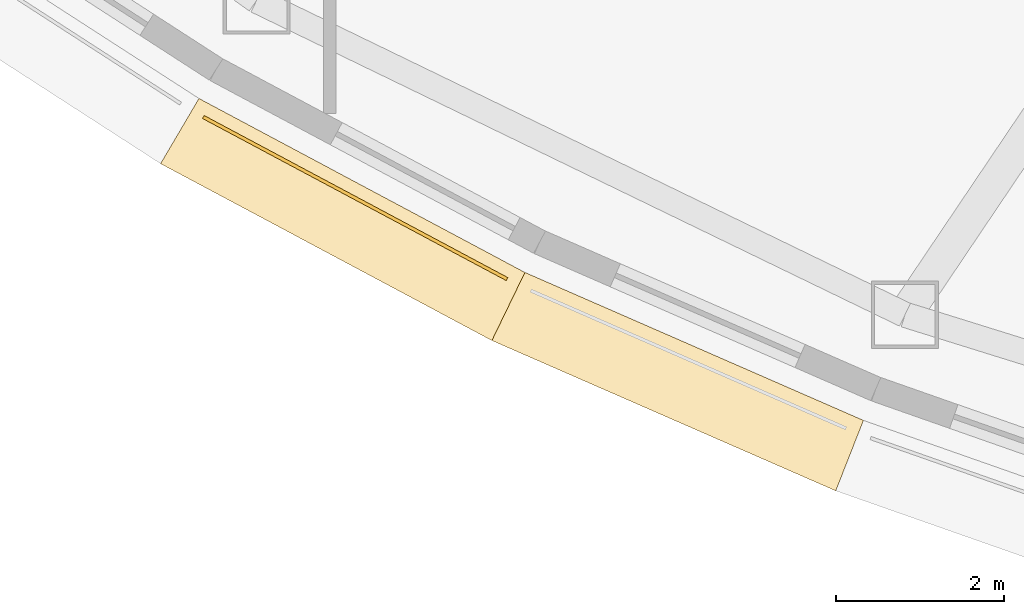
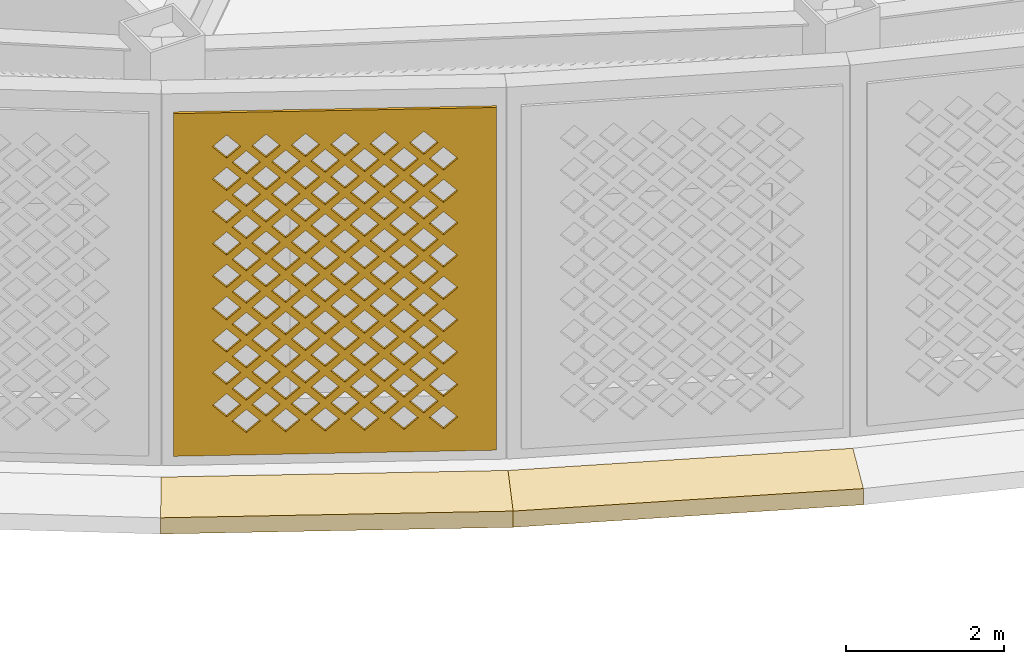
# One storey, part 51 of 74: 3 coverings.
"""IFC4 building model written with IfcOpenShell, lengths in metres."""

from ifc_helpers import new_model, si_unit, direction, frame, origin, place, context, subcontext, project, spatial, polyline, outline, extrude, material, layer, layer_set, type_object, element, save


model = new_model("IFC4")

# Units and contexts
model_context = context("Model", 3, precision=1e-05, world=origin(), true_north=direction((0.0, 1.0)))
body_context = subcontext(model_context, "Body", "Model", "MODEL_VIEW")
ifc_project = project(units=[si_unit("LENGTHUNIT", "METRE"), si_unit("AREAUNIT", "SQUARE_METRE"), si_unit("VOLUMEUNIT", "CUBIC_METRE"), si_unit("PLANEANGLEUNIT", "RADIAN"), si_unit("MASSUNIT", "GRAM", prefix="KILO")], contexts=[model_context])

# Site, building, storey
site_placement = place(None, origin())
site = spatial("IfcSite", under=ifc_project, at=site_placement, CompositionType="ELEMENT")
building_placement = place(site_placement, origin())
building = spatial("IfcBuilding", under=site, at=building_placement, Name="Noorbagh Ring Tower", CompositionType="ELEMENT")
storey_placement = place(building_placement, frame((0.0, 0.0, 13.5)))
storey = spatial("IfcBuildingStorey", under=building, at=storey_placement, Name="L02", CompositionType="ELEMENT", Elevation=13.5)

# Coverings
ifc_material_1 = material(Name="Red sandstone eave", Category="masonry")
covering_type_1 = type_object("IfcCoveringType", Name="STY-CHHAJJA", PredefinedType="USERDEFINED", material=ifc_material_1)
covering_1_placement = place(storey_placement, frame((0.0, 0.0, -0.25)))
element("IfcCovering", 1, at=covering_1_placement, inside=storey, type_object=covering_type_1, Name="Chhajja eave", ObjectType="CHHAJJA", PredefinedType="USERDEFINED", context=body_context, shape_type="SweptSolid", body=[
    extrude(outline(polyline([(-31.5546875, -31.793701171875), (-27.67578125, -33.864013671875), (-28.068603515625, -34.674560546875), (-32.011474609375, -32.56982421875), (-31.5546875, -31.793701171875)])), origin(), (0.0, 0.0, 1.0), 0.25),
])
covering_2_placement = place(storey_placement, frame((0.0, 0.0, -0.25)))
element("IfcCovering", 2, at=covering_2_placement, inside=storey, type_object=covering_type_1, Name="Chhajja eave", ObjectType="CHHAJJA", PredefinedType="USERDEFINED", context=body_context, shape_type="SweptSolid", body=[
    extrude(outline(polyline([(-27.67578125, -33.864013671875), (-23.647216796875, -35.624755859375), (-23.976806640625, -36.462890625), (-28.068603515625, -34.674560546875), (-27.67578125, -33.864013671875)])), origin(), (0.0, 0.0, 1.0), 0.25),
])
ifc_material_2 = material(Name="Red sandstone jali", Category="masonry")
ifc_layer = layer(ifc_material_2, 0.0400390625)
ifc_layer_set = layer_set([ifc_layer], Name="Red sandstone jali")
covering_type_2 = type_object("IfcCoveringType", Name="STY-JALI", PredefinedType="USERDEFINED", material=ifc_layer_set)
covering_3_placement = place(storey_placement, frame((-31.51171875, -32.031982421875, 0.449951171875), z_axis=(-0.470869695201, -0.882202771556, 0.0), x_axis=(0.882202771556, -0.470869695201, 0.0)))
element("IfcCovering", 3, at=covering_3_placement, inside=storey, type_object=covering_type_2, Name="Jali screen", ObjectType="SCREEN", PredefinedType="USERDEFINED", context=body_context, shape_type="SweptSolid", body=[
    extrude(outline(polyline([(0.0, 0.0), (4.0966796875, 0.0), (4.0966796875, 5.300048828125), (0.0, 5.300048828125), (0.0, 0.0)]), holes=[polyline([(0.743408203125, 0.52490234375), (0.92333984375, 0.344970703125), (1.103271484375, 0.52490234375), (0.92333984375, 0.705078125), (0.743408203125, 0.52490234375)]), polyline([(1.243408203125, 0.52490234375), (1.42333984375, 0.344970703125), (1.603271484375, 0.52490234375), (1.42333984375, 0.705078125), (1.243408203125, 0.52490234375)]), polyline([(1.743408203125, 0.52490234375), (1.92333984375, 0.344970703125), (2.103271484375, 0.52490234375), (1.92333984375, 0.705078125), (1.743408203125, 0.52490234375)]), polyline([(2.243408203125, 0.52490234375), (2.42333984375, 0.344970703125), (2.603271484375, 0.52490234375), (2.42333984375, 0.705078125), (2.243408203125, 0.52490234375)]), polyline([(2.743408203125, 0.52490234375), (2.92333984375, 0.344970703125), (3.103271484375, 0.52490234375), (2.92333984375, 0.705078125), (2.743408203125, 0.52490234375)]), polyline([(3.243408203125, 0.52490234375), (3.42333984375, 0.344970703125), (3.603271484375, 0.52490234375), (3.42333984375, 0.705078125), (3.243408203125, 0.52490234375)]), polyline([(0.493408203125, 0.77490234375), (0.67333984375, 0.594970703125), (0.853271484375, 0.77490234375), (0.67333984375, 0.955078125), (0.493408203125, 0.77490234375)]), polyline([(0.993408203125, 0.77490234375), (1.17333984375, 0.594970703125), (1.353271484375, 0.77490234375), (1.17333984375, 0.955078125), (0.993408203125, 0.77490234375)]), polyline([(1.493408203125, 0.77490234375), (1.67333984375, 0.594970703125), (1.853271484375, 0.77490234375), (1.67333984375, 0.955078125), (1.493408203125, 0.77490234375)]), polyline([(1.993408203125, 0.77490234375), (2.17333984375, 0.594970703125), (2.353271484375, 0.77490234375), (2.17333984375, 0.955078125), (1.993408203125, 0.77490234375)]), polyline([(2.493408203125, 0.77490234375), (2.67333984375, 0.594970703125), (2.853271484375, 0.77490234375), (2.67333984375, 0.955078125), (2.493408203125, 0.77490234375)]), polyline([(2.993408203125, 0.77490234375), (3.17333984375, 0.594970703125), (3.353271484375, 0.77490234375), (3.17333984375, 0.955078125), (2.993408203125, 0.77490234375)]), polyline([(0.743408203125, 1.02490234375), (0.92333984375, 0.844970703125), (1.103271484375, 1.02490234375), (0.92333984375, 1.205078125), (0.743408203125, 1.02490234375)]), polyline([(1.243408203125, 1.02490234375), (1.42333984375, 0.844970703125), (1.603271484375, 1.02490234375), (1.42333984375, 1.205078125), (1.243408203125, 1.02490234375)]), polyline([(1.743408203125, 1.02490234375), (1.92333984375, 0.844970703125), (2.103271484375, 1.02490234375), (1.92333984375, 1.205078125), (1.743408203125, 1.02490234375)]), polyline([(2.243408203125, 1.02490234375), (2.42333984375, 0.844970703125), (2.603271484375, 1.02490234375), (2.42333984375, 1.205078125), (2.243408203125, 1.02490234375)]), polyline([(2.743408203125, 1.02490234375), (2.92333984375, 0.844970703125), (3.103271484375, 1.02490234375), (2.92333984375, 1.205078125), (2.743408203125, 1.02490234375)]), polyline([(3.243408203125, 1.02490234375), (3.42333984375, 0.844970703125), (3.603271484375, 1.02490234375), (3.42333984375, 1.205078125), (3.243408203125, 1.02490234375)]), polyline([(0.493408203125, 1.27490234375), (0.67333984375, 1.094970703125), (0.853271484375, 1.27490234375), (0.67333984375, 1.455078125), (0.493408203125, 1.27490234375)]), polyline([(0.993408203125, 1.27490234375), (1.17333984375, 1.094970703125), (1.353271484375, 1.27490234375), (1.17333984375, 1.455078125), (0.993408203125, 1.27490234375)]), polyline([(1.493408203125, 1.27490234375), (1.67333984375, 1.094970703125), (1.853271484375, 1.27490234375), (1.67333984375, 1.455078125), (1.493408203125, 1.27490234375)]), polyline([(1.993408203125, 1.27490234375), (2.17333984375, 1.094970703125), (2.353271484375, 1.27490234375), (2.17333984375, 1.455078125), (1.993408203125, 1.27490234375)]), polyline([(2.493408203125, 1.27490234375), (2.67333984375, 1.094970703125), (2.853271484375, 1.27490234375), (2.67333984375, 1.455078125), (2.493408203125, 1.27490234375)]), polyline([(2.993408203125, 1.27490234375), (3.17333984375, 1.094970703125), (3.353271484375, 1.27490234375), (3.17333984375, 1.455078125), (2.993408203125, 1.27490234375)]), polyline([(0.743408203125, 1.52490234375), (0.92333984375, 1.344970703125), (1.103271484375, 1.52490234375), (0.92333984375, 1.705078125), (0.743408203125, 1.52490234375)]), polyline([(1.243408203125, 1.52490234375), (1.42333984375, 1.344970703125), (1.603271484375, 1.52490234375), (1.42333984375, 1.705078125), (1.243408203125, 1.52490234375)]), polyline([(1.743408203125, 1.52490234375), (1.92333984375, 1.344970703125), (2.103271484375, 1.52490234375), (1.92333984375, 1.705078125), (1.743408203125, 1.52490234375)]), polyline([(2.243408203125, 1.52490234375), (2.42333984375, 1.344970703125), (2.603271484375, 1.52490234375), (2.42333984375, 1.705078125), (2.243408203125, 1.52490234375)]), polyline([(2.743408203125, 1.52490234375), (2.92333984375, 1.344970703125), (3.103271484375, 1.52490234375), (2.92333984375, 1.705078125), (2.743408203125, 1.52490234375)]), polyline([(3.243408203125, 1.52490234375), (3.42333984375, 1.344970703125), (3.603271484375, 1.52490234375), (3.42333984375, 1.705078125), (3.243408203125, 1.52490234375)]), polyline([(0.493408203125, 1.77490234375), (0.67333984375, 1.594970703125), (0.853271484375, 1.77490234375), (0.67333984375, 1.955078125), (0.493408203125, 1.77490234375)]), polyline([(0.993408203125, 1.77490234375), (1.17333984375, 1.594970703125), (1.353271484375, 1.77490234375), (1.17333984375, 1.955078125), (0.993408203125, 1.77490234375)]), polyline([(1.493408203125, 1.77490234375), (1.67333984375, 1.594970703125), (1.853271484375, 1.77490234375), (1.67333984375, 1.955078125), (1.493408203125, 1.77490234375)]), polyline([(1.993408203125, 1.77490234375), (2.17333984375, 1.594970703125), (2.353271484375, 1.77490234375), (2.17333984375, 1.955078125), (1.993408203125, 1.77490234375)]), polyline([(2.493408203125, 1.77490234375), (2.67333984375, 1.594970703125), (2.853271484375, 1.77490234375), (2.67333984375, 1.955078125), (2.493408203125, 1.77490234375)]), polyline([(2.993408203125, 1.77490234375), (3.17333984375, 1.594970703125), (3.353271484375, 1.77490234375), (3.17333984375, 1.955078125), (2.993408203125, 1.77490234375)]), polyline([(0.743408203125, 2.02490234375), (0.92333984375, 1.844970703125), (1.103271484375, 2.02490234375), (0.92333984375, 2.205078125), (0.743408203125, 2.02490234375)]), polyline([(1.243408203125, 2.02490234375), (1.42333984375, 1.844970703125), (1.603271484375, 2.02490234375), (1.42333984375, 2.205078125), (1.243408203125, 2.02490234375)]), polyline([(1.743408203125, 2.02490234375), (1.92333984375, 1.844970703125), (2.103271484375, 2.02490234375), (1.92333984375, 2.205078125), (1.743408203125, 2.02490234375)]), polyline([(2.243408203125, 2.02490234375), (2.42333984375, 1.844970703125), (2.603271484375, 2.02490234375), (2.42333984375, 2.205078125), (2.243408203125, 2.02490234375)]), polyline([(2.743408203125, 2.02490234375), (2.92333984375, 1.844970703125), (3.103271484375, 2.02490234375), (2.92333984375, 2.205078125), (2.743408203125, 2.02490234375)]), polyline([(3.243408203125, 2.02490234375), (3.42333984375, 1.844970703125), (3.603271484375, 2.02490234375), (3.42333984375, 2.205078125), (3.243408203125, 2.02490234375)]), polyline([(0.493408203125, 2.27490234375), (0.67333984375, 2.094970703125), (0.853271484375, 2.27490234375), (0.67333984375, 2.455078125), (0.493408203125, 2.27490234375)]), polyline([(0.993408203125, 2.27490234375), (1.17333984375, 2.094970703125), (1.353271484375, 2.27490234375), (1.17333984375, 2.455078125), (0.993408203125, 2.27490234375)]), polyline([(1.493408203125, 2.27490234375), (1.67333984375, 2.094970703125), (1.853271484375, 2.27490234375), (1.67333984375, 2.455078125), (1.493408203125, 2.27490234375)]), polyline([(1.993408203125, 2.27490234375), (2.17333984375, 2.094970703125), (2.353271484375, 2.27490234375), (2.17333984375, 2.455078125), (1.993408203125, 2.27490234375)]), polyline([(2.493408203125, 2.27490234375), (2.67333984375, 2.094970703125), (2.853271484375, 2.27490234375), (2.67333984375, 2.455078125), (2.493408203125, 2.27490234375)]), polyline([(2.993408203125, 2.27490234375), (3.17333984375, 2.094970703125), (3.353271484375, 2.27490234375), (3.17333984375, 2.455078125), (2.993408203125, 2.27490234375)]), polyline([(0.743408203125, 2.52490234375), (0.92333984375, 2.344970703125), (1.103271484375, 2.52490234375), (0.92333984375, 2.705078125), (0.743408203125, 2.52490234375)]), polyline([(1.243408203125, 2.52490234375), (1.42333984375, 2.344970703125), (1.603271484375, 2.52490234375), (1.42333984375, 2.705078125), (1.243408203125, 2.52490234375)]), polyline([(1.743408203125, 2.52490234375), (1.92333984375, 2.344970703125), (2.103271484375, 2.52490234375), (1.92333984375, 2.705078125), (1.743408203125, 2.52490234375)]), polyline([(2.243408203125, 2.52490234375), (2.42333984375, 2.344970703125), (2.603271484375, 2.52490234375), (2.42333984375, 2.705078125), (2.243408203125, 2.52490234375)]), polyline([(2.743408203125, 2.52490234375), (2.92333984375, 2.344970703125), (3.103271484375, 2.52490234375), (2.92333984375, 2.705078125), (2.743408203125, 2.52490234375)]), polyline([(3.243408203125, 2.52490234375), (3.42333984375, 2.344970703125), (3.603271484375, 2.52490234375), (3.42333984375, 2.705078125), (3.243408203125, 2.52490234375)]), polyline([(0.493408203125, 2.77490234375), (0.67333984375, 2.594970703125), (0.853271484375, 2.77490234375), (0.67333984375, 2.955078125), (0.493408203125, 2.77490234375)]), polyline([(0.993408203125, 2.77490234375), (1.17333984375, 2.594970703125), (1.353271484375, 2.77490234375), (1.17333984375, 2.955078125), (0.993408203125, 2.77490234375)]), polyline([(1.493408203125, 2.77490234375), (1.67333984375, 2.594970703125), (1.853271484375, 2.77490234375), (1.67333984375, 2.955078125), (1.493408203125, 2.77490234375)]), polyline([(1.993408203125, 2.77490234375), (2.17333984375, 2.594970703125), (2.353271484375, 2.77490234375), (2.17333984375, 2.955078125), (1.993408203125, 2.77490234375)]), polyline([(2.493408203125, 2.77490234375), (2.67333984375, 2.594970703125), (2.853271484375, 2.77490234375), (2.67333984375, 2.955078125), (2.493408203125, 2.77490234375)]), polyline([(2.993408203125, 2.77490234375), (3.17333984375, 2.594970703125), (3.353271484375, 2.77490234375), (3.17333984375, 2.955078125), (2.993408203125, 2.77490234375)]), polyline([(0.743408203125, 3.02490234375), (0.92333984375, 2.844970703125), (1.103271484375, 3.02490234375), (0.92333984375, 3.205078125), (0.743408203125, 3.02490234375)]), polyline([(1.243408203125, 3.02490234375), (1.42333984375, 2.844970703125), (1.603271484375, 3.02490234375), (1.42333984375, 3.205078125), (1.243408203125, 3.02490234375)]), polyline([(1.743408203125, 3.02490234375), (1.92333984375, 2.844970703125), (2.103271484375, 3.02490234375), (1.92333984375, 3.205078125), (1.743408203125, 3.02490234375)]), polyline([(2.243408203125, 3.02490234375), (2.42333984375, 2.844970703125), (2.603271484375, 3.02490234375), (2.42333984375, 3.205078125), (2.243408203125, 3.02490234375)]), polyline([(2.743408203125, 3.02490234375), (2.92333984375, 2.844970703125), (3.103271484375, 3.02490234375), (2.92333984375, 3.205078125), (2.743408203125, 3.02490234375)]), polyline([(3.243408203125, 3.02490234375), (3.42333984375, 2.844970703125), (3.603271484375, 3.02490234375), (3.42333984375, 3.205078125), (3.243408203125, 3.02490234375)]), polyline([(0.493408203125, 3.27490234375), (0.67333984375, 3.094970703125), (0.853271484375, 3.27490234375), (0.67333984375, 3.455078125), (0.493408203125, 3.27490234375)]), polyline([(0.993408203125, 3.27490234375), (1.17333984375, 3.094970703125), (1.353271484375, 3.27490234375), (1.17333984375, 3.455078125), (0.993408203125, 3.27490234375)]), polyline([(1.493408203125, 3.27490234375), (1.67333984375, 3.094970703125), (1.853271484375, 3.27490234375), (1.67333984375, 3.455078125), (1.493408203125, 3.27490234375)]), polyline([(1.993408203125, 3.27490234375), (2.17333984375, 3.094970703125), (2.353271484375, 3.27490234375), (2.17333984375, 3.455078125), (1.993408203125, 3.27490234375)]), polyline([(2.493408203125, 3.27490234375), (2.67333984375, 3.094970703125), (2.853271484375, 3.27490234375), (2.67333984375, 3.455078125), (2.493408203125, 3.27490234375)]), polyline([(2.993408203125, 3.27490234375), (3.17333984375, 3.094970703125), (3.353271484375, 3.27490234375), (3.17333984375, 3.455078125), (2.993408203125, 3.27490234375)]), polyline([(0.743408203125, 3.52490234375), (0.92333984375, 3.344970703125), (1.103271484375, 3.52490234375), (0.92333984375, 3.705078125), (0.743408203125, 3.52490234375)]), polyline([(1.243408203125, 3.52490234375), (1.42333984375, 3.344970703125), (1.603271484375, 3.52490234375), (1.42333984375, 3.705078125), (1.243408203125, 3.52490234375)]), polyline([(1.743408203125, 3.52490234375), (1.92333984375, 3.344970703125), (2.103271484375, 3.52490234375), (1.92333984375, 3.705078125), (1.743408203125, 3.52490234375)]), polyline([(2.243408203125, 3.52490234375), (2.42333984375, 3.344970703125), (2.603271484375, 3.52490234375), (2.42333984375, 3.705078125), (2.243408203125, 3.52490234375)]), polyline([(2.743408203125, 3.52490234375), (2.92333984375, 3.344970703125), (3.103271484375, 3.52490234375), (2.92333984375, 3.705078125), (2.743408203125, 3.52490234375)]), polyline([(3.243408203125, 3.52490234375), (3.42333984375, 3.344970703125), (3.603271484375, 3.52490234375), (3.42333984375, 3.705078125), (3.243408203125, 3.52490234375)]), polyline([(0.493408203125, 3.77490234375), (0.67333984375, 3.594970703125), (0.853271484375, 3.77490234375), (0.67333984375, 3.955078125), (0.493408203125, 3.77490234375)]), polyline([(0.993408203125, 3.77490234375), (1.17333984375, 3.594970703125), (1.353271484375, 3.77490234375), (1.17333984375, 3.955078125), (0.993408203125, 3.77490234375)]), polyline([(1.493408203125, 3.77490234375), (1.67333984375, 3.594970703125), (1.853271484375, 3.77490234375), (1.67333984375, 3.955078125), (1.493408203125, 3.77490234375)]), polyline([(1.993408203125, 3.77490234375), (2.17333984375, 3.594970703125), (2.353271484375, 3.77490234375), (2.17333984375, 3.955078125), (1.993408203125, 3.77490234375)]), polyline([(2.493408203125, 3.77490234375), (2.67333984375, 3.594970703125), (2.853271484375, 3.77490234375), (2.67333984375, 3.955078125), (2.493408203125, 3.77490234375)]), polyline([(2.993408203125, 3.77490234375), (3.17333984375, 3.594970703125), (3.353271484375, 3.77490234375), (3.17333984375, 3.955078125), (2.993408203125, 3.77490234375)]), polyline([(0.743408203125, 4.02490234375), (0.92333984375, 3.844970703125), (1.103271484375, 4.02490234375), (0.92333984375, 4.205078125), (0.743408203125, 4.02490234375)]), polyline([(1.243408203125, 4.02490234375), (1.42333984375, 3.844970703125), (1.603271484375, 4.02490234375), (1.42333984375, 4.205078125), (1.243408203125, 4.02490234375)]), polyline([(1.743408203125, 4.02490234375), (1.92333984375, 3.844970703125), (2.103271484375, 4.02490234375), (1.92333984375, 4.205078125), (1.743408203125, 4.02490234375)]), polyline([(2.243408203125, 4.02490234375), (2.42333984375, 3.844970703125), (2.603271484375, 4.02490234375), (2.42333984375, 4.205078125), (2.243408203125, 4.02490234375)]), polyline([(2.743408203125, 4.02490234375), (2.92333984375, 3.844970703125), (3.103271484375, 4.02490234375), (2.92333984375, 4.205078125), (2.743408203125, 4.02490234375)]), polyline([(3.243408203125, 4.02490234375), (3.42333984375, 3.844970703125), (3.603271484375, 4.02490234375), (3.42333984375, 4.205078125), (3.243408203125, 4.02490234375)]), polyline([(0.493408203125, 4.27490234375), (0.67333984375, 4.094970703125), (0.853271484375, 4.27490234375), (0.67333984375, 4.455078125), (0.493408203125, 4.27490234375)]), polyline([(0.993408203125, 4.27490234375), (1.17333984375, 4.094970703125), (1.353271484375, 4.27490234375), (1.17333984375, 4.455078125), (0.993408203125, 4.27490234375)]), polyline([(1.493408203125, 4.27490234375), (1.67333984375, 4.094970703125), (1.853271484375, 4.27490234375), (1.67333984375, 4.455078125), (1.493408203125, 4.27490234375)]), polyline([(1.993408203125, 4.27490234375), (2.17333984375, 4.094970703125), (2.353271484375, 4.27490234375), (2.17333984375, 4.455078125), (1.993408203125, 4.27490234375)]), polyline([(2.493408203125, 4.27490234375), (2.67333984375, 4.094970703125), (2.853271484375, 4.27490234375), (2.67333984375, 4.455078125), (2.493408203125, 4.27490234375)]), polyline([(2.993408203125, 4.27490234375), (3.17333984375, 4.094970703125), (3.353271484375, 4.27490234375), (3.17333984375, 4.455078125), (2.993408203125, 4.27490234375)]), polyline([(0.743408203125, 4.52490234375), (0.92333984375, 4.344970703125), (1.103271484375, 4.52490234375), (0.92333984375, 4.705078125), (0.743408203125, 4.52490234375)]), polyline([(1.243408203125, 4.52490234375), (1.42333984375, 4.344970703125), (1.603271484375, 4.52490234375), (1.42333984375, 4.705078125), (1.243408203125, 4.52490234375)]), polyline([(1.743408203125, 4.52490234375), (1.92333984375, 4.344970703125), (2.103271484375, 4.52490234375), (1.92333984375, 4.705078125), (1.743408203125, 4.52490234375)]), polyline([(2.243408203125, 4.52490234375), (2.42333984375, 4.344970703125), (2.603271484375, 4.52490234375), (2.42333984375, 4.705078125), (2.243408203125, 4.52490234375)]), polyline([(2.743408203125, 4.52490234375), (2.92333984375, 4.344970703125), (3.103271484375, 4.52490234375), (2.92333984375, 4.705078125), (2.743408203125, 4.52490234375)]), polyline([(3.243408203125, 4.52490234375), (3.42333984375, 4.344970703125), (3.603271484375, 4.52490234375), (3.42333984375, 4.705078125), (3.243408203125, 4.52490234375)]), polyline([(0.493408203125, 4.77490234375), (0.67333984375, 4.594970703125), (0.853271484375, 4.77490234375), (0.67333984375, 4.955078125), (0.493408203125, 4.77490234375)]), polyline([(0.993408203125, 4.77490234375), (1.17333984375, 4.594970703125), (1.353271484375, 4.77490234375), (1.17333984375, 4.955078125), (0.993408203125, 4.77490234375)]), polyline([(1.493408203125, 4.77490234375), (1.67333984375, 4.594970703125), (1.853271484375, 4.77490234375), (1.67333984375, 4.955078125), (1.493408203125, 4.77490234375)]), polyline([(1.993408203125, 4.77490234375), (2.17333984375, 4.594970703125), (2.353271484375, 4.77490234375), (2.17333984375, 4.955078125), (1.993408203125, 4.77490234375)]), polyline([(2.493408203125, 4.77490234375), (2.67333984375, 4.594970703125), (2.853271484375, 4.77490234375), (2.67333984375, 4.955078125), (2.493408203125, 4.77490234375)]), polyline([(2.993408203125, 4.77490234375), (3.17333984375, 4.594970703125), (3.353271484375, 4.77490234375), (3.17333984375, 4.955078125), (2.993408203125, 4.77490234375)])]), origin(), (0.0, 0.0, -1.0), 0.0400390625),
])

save(model, "model.ifc")
